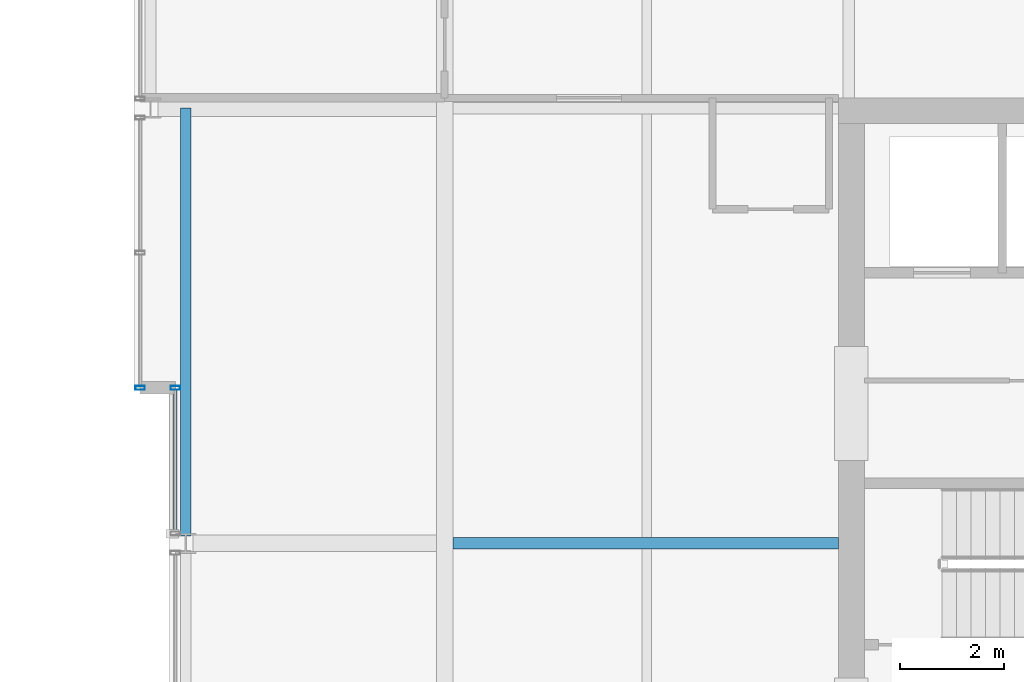
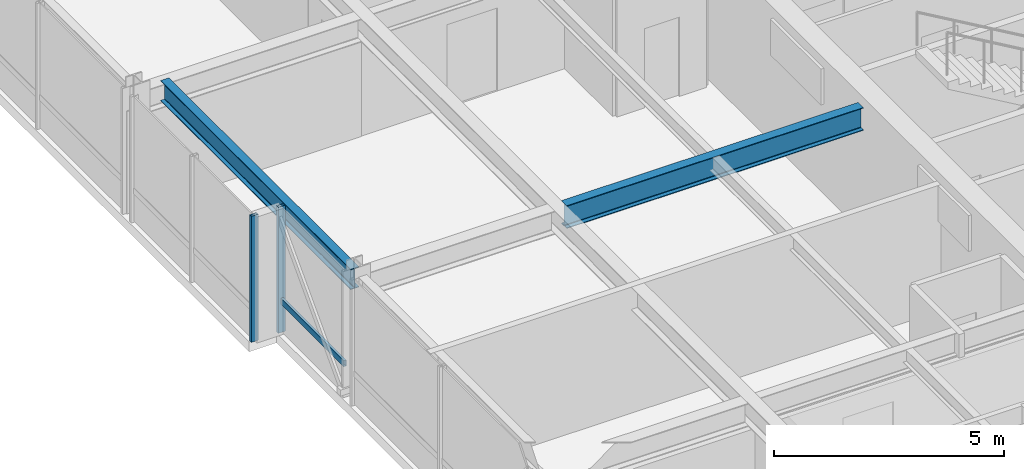
# One storey, part 10 of 32: 3 members, 2 beams, 2 elements without a shape of their own.
"""IFC4 building model written with IfcOpenShell, lengths in metres."""

from ifc_helpers import new_model, si_unit, direction, frame, origin, origin_2d, place, context, subcontext, project, spatial, hollow_rectangle, i_section, extrude, material, layer, layer_set, material_profile, profile_set, type_object, element, aggregate, save


model = new_model("IFC4")

# Units and contexts
model_context = context("Model", 3, precision=1e-05, world=origin(), true_north=direction((0.0, 1.0)))
body_context = subcontext(model_context, "Body", "Model", "MODEL_VIEW")
ifc_project = project(units=[si_unit("LENGTHUNIT", "METRE"), si_unit("AREAUNIT", "SQUARE_METRE"), si_unit("VOLUMEUNIT", "CUBIC_METRE"), si_unit("PLANEANGLEUNIT", "RADIAN"), si_unit("MASSUNIT", "GRAM", prefix="KILO")], contexts=[model_context])

# Site, building, storey
site_placement = place(None, origin())
site = spatial("IfcSite", under=ifc_project, at=site_placement, CompositionType="ELEMENT")
building_placement = place(site_placement, origin())
building = spatial("IfcBuilding", under=site, at=building_placement, Name="Drelvath Grand Hotel", CompositionType="ELEMENT")
storey_placement = place(building_placement, frame((0.0, 0.0, 233.89990234375)))
storey = spatial("IfcBuildingStorey", under=building, at=storey_placement, Name="L61", CompositionType="ELEMENT", Elevation=233.89990234375)

# Curtain wall, members
ifc_material_1 = material(Name="Platinum-Mist Anodised Aluminium Frame", Category="aluminium")
ifc_layer = layer(ifc_material_1, 0.199951171875)
ifc_layer_set = layer_set([ifc_layer], Name="Platinum-Mist Anodised Aluminium Frame")
curtain_wall_type = type_object("IfcCurtainWallType", Name="Stick Curtain Wall CW-05 Platinum Mist High-Rise", PredefinedType="NOTDEFINED", material=ifc_layer_set)
curtain_wall_1_placement = place(storey_placement, origin())
curtain_wall_1 = element("IfcCurtainWall", 1, at=curtain_wall_1_placement, inside=storey, type_object=curtain_wall_type, Name="L61 CW-05 Curtain Wall CW05-L61-WM2", PredefinedType="NOTDEFINED")
ifc_material_profile_1 = material_profile(ifc_material_1, hollow_rectangle(XDim=0.06494140625, YDim=0.159912109375, WallThickness=0.00390625, at=origin_2d()), Name="HSS160X65X4")
ifc_profile_set_1 = profile_set([ifc_material_profile_1], Name="Platinum-Mist Anodised Aluminium Frame")
member_type_1 = type_object("IfcMemberType", Name="Curtain Wall Horizontal Transom CW-05 HSS160X65X4", PredefinedType="USERDEFINED", material=ifc_profile_set_1)
member_1_placement = place(storey_placement, frame((-21.39990234375, 27.225341796875, 0.835205078125), z_axis=(0.0, 1.0, 0.0), x_axis=(-1.0, 0.0, 0.0)))
member_1 = element("IfcMember", 2, at=member_1_placement, type_object=member_type_1, Name="CW05-L61-WM2 Sill Transom", ObjectType="TRANSOM", PredefinedType="USERDEFINED", context=body_context, shape_type="SweptSolid", body=[
    extrude(hollow_rectangle(XDim=0.06494140625, YDim=0.159912109375, WallThickness=0.00390625, at=origin_2d()), origin(), (0.0, 0.0, 1.0), 2.734619140625),
])
ifc_material_profile_2 = material_profile(ifc_material_1, hollow_rectangle(XDim=0.074951171875, YDim=0.179931640625, WallThickness=0.0048828125, at=origin_2d()), Name="HSS180X75X5")
ifc_profile_set_2 = profile_set([ifc_material_profile_2], Name="Platinum-Mist Anodised Aluminium Frame")
member_type_2 = type_object("IfcMemberType", Name="Curtain Wall Vertical Mullion CW-05 HSS180X75X5", PredefinedType="MULLION", material=ifc_profile_set_2)
member_2_placement = place(storey_placement, frame((-21.39990234375, 30.0, 0.0), z_axis=(0.0, 0.0, 1.0), x_axis=(0.0, 1.0, 0.0)))
member_2 = element("IfcMember", 3, at=member_2_placement, type_object=member_type_2, Name="CW05-L61-WM2 Mullion 2", PredefinedType="MULLION", context=body_context, shape_type="SweptSolid", body=[
    extrude(hollow_rectangle(XDim=0.074951171875, YDim=0.179931640625, WallThickness=0.0048828125, at=origin_2d()), origin(), (0.0, 0.0, 1.0), 3.340087890625),
])
aggregate(curtain_wall_1, [member_2, member_1])

# Curtain wall, member
curtain_wall_2_placement = place(storey_placement, origin())
curtain_wall_2 = element("IfcCurtainWall", 4, at=curtain_wall_2_placement, inside=storey, type_object=curtain_wall_type, Name="L61 CW-05 Curtain Wall CW05-L61-WN1", PredefinedType="NOTDEFINED")
member_3_placement = place(storey_placement, frame((-22.080078125, 30.0, 0.0), z_axis=(0.0, 0.0, 1.0), x_axis=(0.0, 1.0, 0.0)))
member_3 = element("IfcMember", 5, at=member_3_placement, type_object=member_type_2, Name="CW05-L61-WN1 Mullion 1", PredefinedType="MULLION", context=body_context, shape_type="SweptSolid", body=[
    extrude(hollow_rectangle(XDim=0.074951171875, YDim=0.179931640625, WallThickness=0.0048828125, at=origin_2d()), origin(), (0.0, 0.0, 1.0), 3.340087890625),
])
aggregate(curtain_wall_2, [member_3])

# Beams
ifc_material_2 = material(Name="Steel ASTM A992 Gr 50", Category="steel")
ifc_material_profile_3 = material_profile(ifc_material_2, i_section(OverallWidth=0.210205078125, OverallDepth=0.53662109375, WebThickness=0.010986328125, FlangeThickness=0.017333984375, FilletRadius=0.01806640625, at=origin_2d()), Name="W21X68")
ifc_profile_set_3 = profile_set([ifc_material_profile_3], Name="Steel ASTM A992 Gr 50")
beam_type_1 = type_object("IfcBeamType", Name="Perimeter Spandrel Beam W21X68", PredefinedType="SPANDREL", material=ifc_profile_set_3)
beam_1_placement = place(storey_placement, frame((-21.199951171875, 27.139892578125, 3.07177734375), z_axis=(0.0, 1.0, 0.0), x_axis=(-1.0, 0.0, 0.0)))
element("IfcBeam", 6, at=beam_1_placement, inside=storey, type_object=beam_type_1, Name="L61 Spandrel West Mid N", PredefinedType="SPANDREL", context=body_context, shape_type="SweptSolid", body=[
    extrude(i_section(OverallWidth=0.210205078125, OverallDepth=0.53662109375, WebThickness=0.010986328125, FlangeThickness=0.017333984375, FilletRadius=0.01806640625, at=origin_2d()), origin(), (0.0, 0.0, 1.0), 8.260009765625),
])
ifc_material_profile_4 = material_profile(ifc_material_2, i_section(OverallWidth=0.228271484375, OverallDepth=0.607666015625, WebThickness=0.01123046875, FlangeThickness=0.017333984375, FilletRadius=0.02001953125, at=origin_2d()), Name="W24X76")
ifc_profile_set_4 = profile_set([ifc_material_profile_4], Name="Steel ASTM A992 Gr 50")
beam_type_2 = type_object("IfcBeamType", Name="Primary Floor Girder W24X76", PredefinedType="BEAM", material=ifc_profile_set_4)
beam_2_placement = place(storey_placement, frame((-16.0380859375, 27.0, 3.036376953125), z_axis=(1.0, 0.0, 0.0), x_axis=(0.0, 1.0, 0.0)))
element("IfcBeam", 7, at=beam_2_placement, inside=storey, type_object=beam_type_2, Name="L61 West Core Tie E", PredefinedType="BEAM", context=body_context, shape_type="SweptSolid", body=[
    extrude(i_section(OverallWidth=0.228271484375, OverallDepth=0.607666015625, WebThickness=0.01123046875, FlangeThickness=0.017333984375, FilletRadius=0.02001953125, at=origin_2d()), origin(), (0.0, 0.0, 1.0), 7.43798828125),
])

save(model, "model.ifc")
